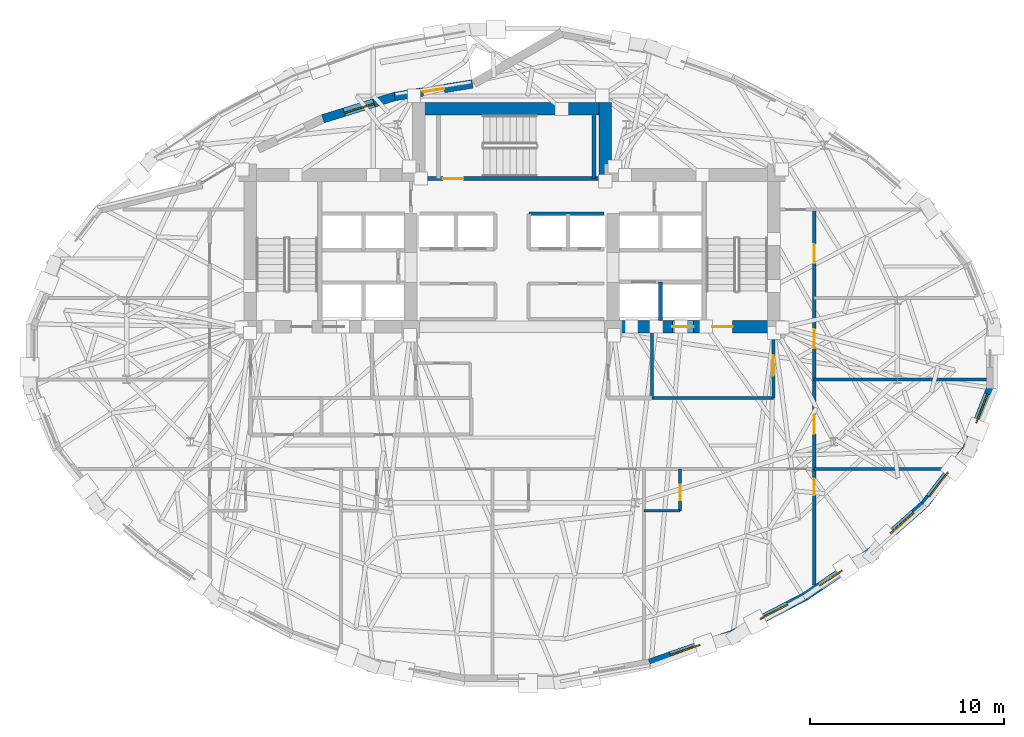
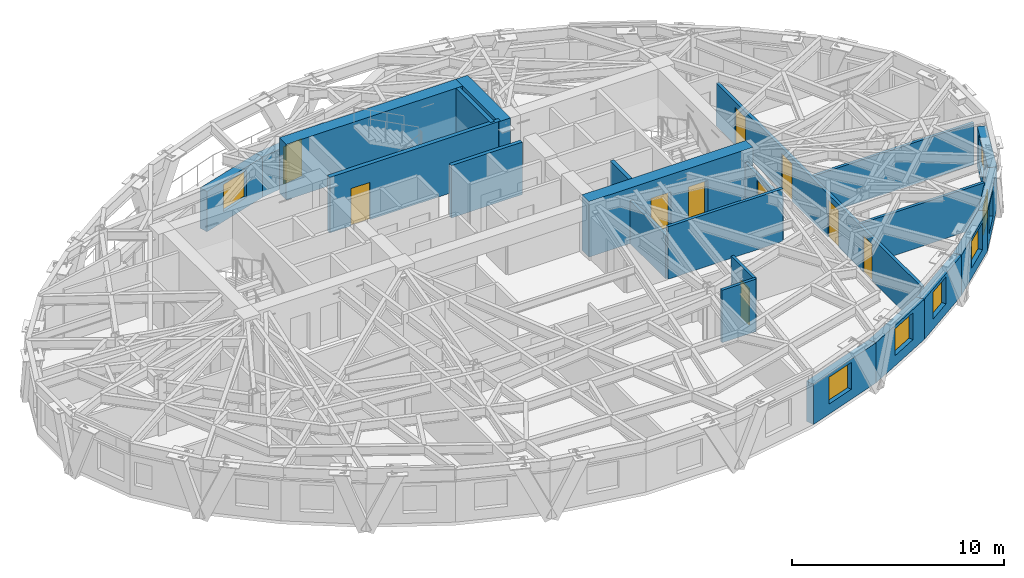
# One storey, part 9 of 14: 23 walls, 10 doors, 7 windows, 17 openings.
"""IFC4 building model written with IfcOpenShell, lengths in metres."""

import ifcopenshell
import ifcopenshell.guid

model = None  # the IFC model being written
_history = None  # IfcOwnerHistory: only IFC2X3 demands one
_inside = {}  # id of a spatial element -> (the spatial element, [elements in it])
_under = {}  # id of a project, library or spatial element -> (it, [spatial elements below it])
_declared = {}  # id of a project -> (the project, [libraries it declares])
_typed = {}  # id of a type object -> (the type object, [elements of that type])
_made_of = {}  # id of a material, layer set ... -> (it, [elements and type objects made of it])


def new_model(schema):
    """Start an empty IFC model of exactly this schema.

    Asked for "IFC4X3", IfcOpenShell would pick the latest addendum, in which some entities
    have other attributes; the version numbers below select the first issue.
    IFC2X3 requires an IfcOwnerHistory on every rooted entity: one is made here for all.
    """
    global model, _history
    if schema == "IFC4X3":
        model = ifcopenshell.file(schema_version=(4, 3, 0, 0))
    else:
        model = ifcopenshell.file(schema=schema)
    _inside.clear()
    _under.clear()
    _declared.clear()
    _typed.clear()
    _made_of.clear()
    _history = None
    if model.schema == "IFC2X3":
        org = make("IfcOrganization", Name="unknown")
        user = make(
            "IfcPersonAndOrganization",
            ThePerson=make("IfcPerson", FamilyName="unknown"),
            TheOrganization=org,
        )
        app = make(
            "IfcApplication",
            ApplicationDeveloper=org,
            Version="unknown",
            ApplicationFullName="unknown",
            ApplicationIdentifier="unknown",
        )
        _history = make(
            "IfcOwnerHistory",
            OwningUser=user,
            OwningApplication=app,
            ChangeAction="ADDED",
            CreationDate=0,
        )
    return model


def make(cls, **values):
    """One entity of the class cls with the attributes given. An attribute that is None is left unset."""
    return model.create_entity(
        cls, **{name: value for name, value in values.items() if value is not None}
    )


def rooted(cls, **values):
    """An entity with a GlobalId (a new one), such as an element, a storey or a relation."""
    return make(cls, GlobalId=ifcopenshell.guid.new(), OwnerHistory=_history, **values)


def si_unit(unit_type, name, prefix=None):
    """IfcSIUnit, for example si_unit("LENGTHUNIT", "METRE", prefix="MILLI")."""
    return make("IfcSIUnit", UnitType=unit_type, Prefix=prefix, Name=name)


def assignment(units):
    """IfcUnitAssignment: the units of a project."""
    return None if units is None else make("IfcUnitAssignment", Units=units)


def point(xyz):
    """IfcCartesianPoint."""
    return None if xyz is None else make("IfcCartesianPoint", Coordinates=xyz)


def direction(xyz):
    """IfcDirection."""
    return None if xyz is None else make("IfcDirection", DirectionRatios=xyz)


def frame(location, z_axis=None, x_axis=None):
    """IfcAxis2Placement3D, a coordinate frame: its origin and axes. An axis left out is left unset."""
    return make(
        "IfcAxis2Placement3D",
        Location=point(location),
        Axis=direction(z_axis),
        RefDirection=direction(x_axis),
    )


def frame_2d(location, x_axis=None):
    """IfcAxis2Placement2D, a coordinate frame in the plane: its origin and x axis."""
    return make(
        "IfcAxis2Placement2D", Location=point(location), RefDirection=direction(x_axis)
    )


def origin():
    """The frame at (0, 0, 0) with its axes left unset."""
    return frame((0.0, 0.0, 0.0))


def place(relative_to, where):
    """IfcLocalPlacement: puts the frame where relative to a parent placement (None: the world)."""
    return make(
        "IfcLocalPlacement", PlacementRelTo=relative_to, RelativePlacement=where
    )


def context(
    kind, dimensions, precision=None, world=None, true_north=None, identifier=None
):
    """IfcGeometricRepresentationContext, for example the 3D "Model" context."""
    return make(
        "IfcGeometricRepresentationContext",
        ContextIdentifier=identifier,
        ContextType=kind,
        CoordinateSpaceDimension=dimensions,
        Precision=precision,
        WorldCoordinateSystem=world,
        TrueNorth=true_north,
    )


def subcontext(parent, identifier, kind, view, scale=None):
    """IfcGeometricRepresentationSubContext, for example "Body" below "Model"."""
    return make(
        "IfcGeometricRepresentationSubContext",
        ContextIdentifier=identifier,
        ContextType=kind,
        ParentContext=parent,
        TargetScale=scale,
        TargetView=view,
    )


def project(units=None, contexts=None):
    """IfcProject with its units and contexts."""
    return rooted(
        "IfcProject",
        Name="project",
        RepresentationContexts=contexts,
        UnitsInContext=assignment(units),
    )


def spatial(cls, under=None, at=None, **own):
    """A site, building, storey or space (cls), placed at a placement, below another one or the project."""
    s = rooted(cls, ObjectPlacement=at, **own)
    if under is not None:
        _under.setdefault(under.id(), (under, []))[1].append(s)
    return s


def profile(cls, at=None, kind="AREA", **sizes):
    """A parametric profile (cls). Its sizes go by their IFC names, for example OverallWidth=200.0."""
    return make(cls, ProfileType=kind, Position=at, **sizes)


def rectangle(**sizes):
    """IfcRectangleProfileDef."""
    return profile("IfcRectangleProfileDef", **sizes)


def extrude(swept, where, along, depth):
    """IfcExtrudedAreaSolid: the profile swept, set in the frame where, extruded along a direction by depth."""
    return make(
        "IfcExtrudedAreaSolid",
        SweptArea=swept,
        Position=where,
        ExtrudedDirection=direction(along),
        Depth=depth,
    )


def shape(context_of_items, identifier, shape_type, items):
    """IfcShapeRepresentation: the items that make up one representation, for example the "Body"."""
    return make(
        "IfcShapeRepresentation",
        ContextOfItems=context_of_items,
        RepresentationIdentifier=identifier,
        RepresentationType=shape_type,
        Items=items,
    )


def material(Name=None, Category=None):
    """IfcMaterial."""
    return make("IfcMaterial", Name=Name, Category=Category)


def layer(
    of_material, thickness, ventilated=None, Name=None, Category=None, Priority=None
):
    """IfcMaterialLayer: one layer of a wall or slab, of a material (None: an air gap)."""
    return make(
        "IfcMaterialLayer",
        Material=of_material,
        LayerThickness=thickness,
        IsVentilated=ventilated,
        Name=Name,
        Category=Category,
        Priority=Priority,
    )


def layer_set(layers, Name=None):
    """IfcMaterialLayerSet."""
    return make("IfcMaterialLayerSet", MaterialLayers=layers, LayerSetName=Name)


def made_of(thing, what):
    """Note that an element or type object is made of a material, layer set ...; save() writes the relation."""
    if what is not None:
        _made_of.setdefault(what.id(), (what, []))[1].append(thing)
    return thing


def type_object(cls, material=None, **own):
    """A type object (cls), such as IfcWallType, which elements share."""
    return made_of(rooted(cls, **own), material)


def element(
    cls,
    number,
    at=None,
    inside=None,
    cuts=None,
    type_object=None,
    material=None,
    context=None,
    identifier="Body",
    shape_type=None,
    held_by="IfcProductDefinitionShape",
    body=None,
    shapes=None,
    **own,
):
    """One element of the class cls, such as IfcWall. Its Tag is "e" and its number.

    at: its placement. inside: the storey or other place that contains it. cuts: it is an
    opening in that element (IfcRelVoidsElement). A single representation is given by context,
    identifier, shape_type and body (its items); several are given by shapes. held_by: the class
    of the entity that holds the representations. save() writes the other relations.
    """
    e = rooted(cls, Tag="e%d" % number, ObjectPlacement=at, **own)
    if body is not None:
        shapes = [shape(context, identifier, shape_type, body)]
    if shapes is not None:
        e.Representation = make(held_by, Representations=shapes)
    if inside is not None:
        _inside.setdefault(inside.id(), (inside, []))[1].append(e)
    if cuts is not None:
        rooted(
            "IfcRelVoidsElement", RelatingBuildingElement=cuts, RelatedOpeningElement=e
        )
    if type_object is not None:
        _typed.setdefault(type_object.id(), (type_object, []))[1].append(e)
    return made_of(e, material)


def fill(opening, filler):
    """IfcRelFillsElement: the door or window that sits in an opening."""
    return rooted(
        "IfcRelFillsElement",
        RelatingOpeningElement=opening,
        RelatedBuildingElement=filler,
    )


def aggregate(whole, parts):
    """IfcRelAggregates: a whole, such as a stair, and the parts it consists of."""
    return rooted("IfcRelAggregates", RelatingObject=whole, RelatedObjects=parts)


def save(model, path):
    """Write the relations noted so far, then the file.

    IfcRelAggregates (storeys below a building ...), IfcRelContainedInSpatialStructure (elements
    in a storey), IfcRelDefinesByType, IfcRelAssociatesMaterial and IfcRelDeclares: one each for
    every whole, place, type object, material and project.
    """
    for whole, parts in _under.values():
        aggregate(whole, parts)
    for where, things in _inside.values():
        rooted(
            "IfcRelContainedInSpatialStructure",
            RelatedElements=things,
            RelatingStructure=where,
        )
    for kind, things in _typed.values():
        rooted("IfcRelDefinesByType", RelatedObjects=things, RelatingType=kind)
    for what, things in _made_of.values():
        rooted("IfcRelAssociatesMaterial", RelatedObjects=things, RelatingMaterial=what)
    for by, libraries in _declared.values():
        rooted("IfcRelDeclares", RelatingContext=by, RelatedDefinitions=libraries)
    model.write(path)


model = new_model("IFC4")

# Units and contexts
model_context = context("Model", 3, precision=1e-05, world=origin(), true_north=direction((0.0, 1.0)))
body_context = subcontext(model_context, "Body", "Model", "MODEL_VIEW")
ifc_project = project(units=[si_unit("LENGTHUNIT", "METRE"), si_unit("AREAUNIT", "SQUARE_METRE"), si_unit("VOLUMEUNIT", "CUBIC_METRE"), si_unit("PLANEANGLEUNIT", "RADIAN"), si_unit("MASSUNIT", "GRAM", prefix="KILO")], contexts=[model_context])

# Site, building, storey
site_placement = place(None, origin())
site = spatial("IfcSite", under=ifc_project, at=site_placement, CompositionType="ELEMENT")
building_placement = place(site_placement, origin())
building = spatial("IfcBuilding", under=site, at=building_placement, Name="Keldmark Tower", CompositionType="ELEMENT")
storey_placement = place(building_placement, frame((0.0, 0.0, 175.800048828125)))
storey = spatial("IfcBuildingStorey", under=building, at=storey_placement, Name="L48", CompositionType="ELEMENT", Elevation=175.800048828125)

# Walls
ifc_material_1 = material(Name="Type X Fire-Rated Gypsum Partition Assembly", Category="gypsum")
ifc_layer_1 = layer(ifc_material_1, 0.1650390625)
ifc_layer_set_1 = layer_set([ifc_layer_1], Name="Type X Fire-Rated Gypsum Partition Assembly")
wall_type_1 = type_object("IfcWallType", Name="Rated Partition 165 mm", PredefinedType="PARTITIONING", material=ifc_layer_set_1)
wall_1_placement = place(storey_placement, frame((7.199951171875, -2.14990234375, 0.0), z_axis=(0.0, 0.0, 1.0), x_axis=(1.0, 0.0, 0.0)))
element("IfcWall", 1, at=wall_1_placement, inside=storey, type_object=wall_type_1, Name="L48 Rated Partition 165 mm FSAE-E-S", PredefinedType="PARTITIONING", context=body_context, shape_type="SweptSolid", body=[
    extrude(rectangle(XDim=6.25, YDim=0.1650390625, at=frame_2d((3.125, 0.0))), origin(), (0.0, 0.0, 1.0), 3.02001953125),
])
wall_2_placement = place(storey_placement, frame((7.199951171875, -2.14990234375, 0.0), z_axis=(0.0, 0.0, 1.0), x_axis=(0.0, 1.0, 0.0)))
element("IfcWall", 2, at=wall_2_placement, inside=storey, type_object=wall_type_1, Name="L48 Rated Partition 165 mm FSAE-E-W", PredefinedType="PARTITIONING", context=body_context, shape_type="SweptSolid", body=[
    extrude(rectangle(XDim=3.39990234375, YDim=0.1650390625, at=frame_2d((1.699951171875, 0.0))), origin(), (0.0, 0.0, 1.0), 2.472900390625),
])

# Wall, opening, door
wall_3_placement = place(storey_placement, frame((13.449951171875, -2.14990234375, 0.0), z_axis=(0.0, 0.0, 1.0), x_axis=(0.0, 1.0, 0.0)))
wall_3 = element("IfcWall", 3, at=wall_3_placement, inside=storey, type_object=wall_type_1, Name="L48 Rated Partition 165 mm FSAE-E-E", PredefinedType="PARTITIONING", context=body_context, shape_type="SweptSolid", body=[
    extrude(rectangle(XDim=3.39990234375, YDim=0.1650390625, at=frame_2d((1.699951171875, 0.0))), origin(), (0.0, 0.0, 1.0), 2.472900390625),
])
opening_1_placement = place(wall_3_placement, frame((1.14990234375, 0.0, 0.0)))
opening_1 = element("IfcOpeningElement", 4, at=opening_1_placement, cuts=wall_3, Name="Opening D-FL105", PredefinedType="OPENING", context=body_context, shape_type="SweptSolid", body=[
    extrude(rectangle(XDim=1.050048828125, YDim=2.14990234375, at=frame_2d((0.52490234375, 1.074951171875))), frame((0.0, 0.092529296875, 0.0), z_axis=(0.0, -1.0, 0.0), x_axis=(1.0, 0.0, 0.0)), (0.0, 0.0, 1.0), 0.18505859375),
])
ifc_material_2 = material(Name="Fire-Rated Mineral-Core Door and Vision Lite", Category="metal")
door_type_1 = type_object("IfcDoorType", Name="Fire Lobby Door 1050x2150", OperationType="NOTDEFINED", PredefinedType="DOOR", material=ifc_material_2)
door_1_placement = place(opening_1_placement, origin())
door_1 = element("IfcDoor", 5, at=door_1_placement, inside=storey, type_object=door_type_1, Name="L48 Fire Lobby Door 1050x2150 D-FSAEE-OUT-L48", OperationType="SINGLE_SWING_LEFT", OverallHeight=2.14990234375, OverallWidth=1.050048828125, PredefinedType="DOOR", context=body_context, shape_type="SweptSolid", body=[
    extrude(rectangle(XDim=1.050048828125, YDim=2.14990234375, at=frame_2d((0.52490234375, 1.074951171875))), frame((0.0, 0.02490234375, 0.0), z_axis=(0.0, -1.0, 0.0), x_axis=(1.0, 0.0, 0.0)), (0.0, 0.0, 1.0), 0.050048828125),
])
fill(opening_1, door_1)

# Wall, openings, doors
wall_4_placement = place(storey_placement, frame((15.550048828125, -11.77099609375, 0.0), z_axis=(0.0, 0.0, 1.0), x_axis=(0.0, 1.0, 0.0)))
wall_4 = element("IfcWall", 6, at=wall_4_placement, inside=storey, type_object=wall_type_1, Name="L48 Rated Partition 165 mm HCOR-E", PredefinedType="PARTITIONING", context=body_context, shape_type="SweptSolid", body=[
    extrude(rectangle(XDim=19.321044921875, YDim=0.1650390625, at=frame_2d((9.66064453125, 0.0))), origin(), (0.0, 0.0, 1.0), 2.472900390625),
])
opening_2_placement = place(wall_4_placement, frame((4.62060546875, 0.0, 0.0)))
opening_2 = element("IfcOpeningElement", 7, at=opening_2_placement, cuts=wall_4, Name="Opening D-IN085", PredefinedType="OPENING", context=body_context, shape_type="SweptSolid", body=[
    extrude(rectangle(XDim=0.85009765625, YDim=2.10009765625, at=frame_2d((0.425048828125, 1.050048828125))), frame((0.0, 0.092529296875, 0.0), z_axis=(0.0, -1.0, 0.0), x_axis=(1.0, 0.0, 0.0)), (0.0, 0.0, 1.0), 0.18505859375),
])
opening_3_placement = place(wall_4_placement, frame((7.771484375, 0.0, 0.0)))
opening_3 = element("IfcOpeningElement", 8, at=opening_3_placement, cuts=wall_4, Name="Opening D-FD100", PredefinedType="OPENING", context=body_context, shape_type="SweptSolid", body=[
    extrude(rectangle(XDim=1.0, YDim=2.14990234375, at=frame_2d((0.5, 1.074951171875))), frame((0.0, 0.092529296875, 0.0), z_axis=(0.0, -1.0, 0.0), x_axis=(1.0, 0.0, 0.0)), (0.0, 0.0, 1.0), 0.18505859375),
])
opening_4_placement = place(wall_4_placement, frame((12.171630859375, 0.0, 0.0)))
opening_4 = element("IfcOpeningElement", 9, at=opening_4_placement, cuts=wall_4, Name="Opening D-FD100", PredefinedType="OPENING", context=body_context, shape_type="SweptSolid", body=[
    extrude(rectangle(XDim=1.0, YDim=2.14990234375, at=frame_2d((0.5, 1.074951171875))), frame((0.0, 0.092529296875, 0.0), z_axis=(0.0, -1.0, 0.0), x_axis=(1.0, 0.0, 0.0)), (0.0, 0.0, 1.0), 0.18505859375),
])
opening_5_placement = place(wall_4_placement, frame((16.546630859375, 0.0, 0.0)))
opening_5 = element("IfcOpeningElement", 10, at=opening_5_placement, cuts=wall_4, Name="Opening D-FD100", PredefinedType="OPENING", context=body_context, shape_type="SweptSolid", body=[
    extrude(rectangle(XDim=1.0, YDim=2.14990234375, at=frame_2d((0.5, 1.074951171875))), frame((0.0, 0.092529296875, 0.0), z_axis=(0.0, -1.0, 0.0), x_axis=(1.0, 0.0, 0.0)), (0.0, 0.0, 1.0), 0.18505859375),
])
ifc_material_3 = material(Name="Hollow Metal Fire-Rated Corridor Door", Category="metal")
door_type_2 = type_object("IfcDoorType", Name="Fire Door 1000x2150", OperationType="NOTDEFINED", PredefinedType="DOOR", material=ifc_material_3)
door_2_placement = place(opening_3_placement, origin())
door_2 = element("IfcDoor", 11, at=door_2_placement, inside=storey, type_object=door_type_2, Name="L48 Fire Door 1000x2150 D-HESP-1-L48", OperationType="SINGLE_SWING_RIGHT", OverallHeight=2.14990234375, OverallWidth=1.0, PredefinedType="DOOR", context=body_context, shape_type="SweptSolid", body=[
    extrude(rectangle(XDim=1.0, YDim=2.14990234375, at=frame_2d((0.5, 1.074951171875))), frame((0.0, 0.02490234375, 0.0), z_axis=(0.0, -1.0, 0.0), x_axis=(1.0, 0.0, 0.0)), (0.0, 0.0, 1.0), 0.050048828125),
])
fill(opening_3, door_2)
door_3_placement = place(opening_4_placement, origin())
door_3 = element("IfcDoor", 12, at=door_3_placement, inside=storey, type_object=door_type_2, Name="L48 Fire Door 1000x2150 D-HESP-2-L48", OperationType="SINGLE_SWING_LEFT", OverallHeight=2.14990234375, OverallWidth=1.0, PredefinedType="DOOR", context=body_context, shape_type="SweptSolid", body=[
    extrude(rectangle(XDim=1.0, YDim=2.14990234375, at=frame_2d((0.5, 1.074951171875))), frame((0.0, 0.02490234375, 0.0), z_axis=(0.0, -1.0, 0.0), x_axis=(1.0, 0.0, 0.0)), (0.0, 0.0, 1.0), 0.050048828125),
])
fill(opening_4, door_3)
door_4_placement = place(opening_5_placement, origin())
door_4 = element("IfcDoor", 13, at=door_4_placement, inside=storey, type_object=door_type_2, Name="L48 Fire Door 1000x2150 D-HESP-3-L48", OperationType="SINGLE_SWING_LEFT", OverallHeight=2.14990234375, OverallWidth=1.0, PredefinedType="DOOR", context=body_context, shape_type="SweptSolid", body=[
    extrude(rectangle(XDim=1.0, YDim=2.14990234375, at=frame_2d((0.5, 1.074951171875))), frame((0.0, 0.02490234375, 0.0), z_axis=(0.0, -1.0, 0.0), x_axis=(1.0, 0.0, 0.0)), (0.0, 0.0, 1.0), 0.050048828125),
])
fill(opening_5, door_4)
ifc_material_4 = material(Name="Painted Architectural Wood", Category="wood")
door_type_3 = type_object("IfcDoorType", Name="Interior Door 850x2100", OperationType="NOTDEFINED", PredefinedType="DOOR", material=ifc_material_4)
door_5_placement = place(opening_2_placement, origin())
door_5 = element("IfcDoor", 14, at=door_5_placement, inside=storey, type_object=door_type_3, Name="L48 Interior Door 850x2100 D-HKSE-L48", OperationType="SINGLE_SWING_RIGHT", OverallHeight=2.10009765625, OverallWidth=0.85009765625, PredefinedType="DOOR", context=body_context, shape_type="SweptSolid", body=[
    extrude(rectangle(XDim=0.85009765625, YDim=2.10009765625, at=frame_2d((0.425048828125, 1.050048828125))), frame((0.0, 0.02490234375, 0.0), z_axis=(0.0, -1.0, 0.0), x_axis=(1.0, 0.0, 0.0)), (0.0, 0.0, 1.0), 0.050048828125),
])
fill(opening_2, door_5)

# Walls
ifc_material_5 = material(Name="Fire-Resistant Type X Gypsum Shaftliner Coreboard", Category="gypsum")
ifc_layer_2 = layer(ifc_material_5, 0.199951171875)
ifc_layer_set_2 = layer_set([ifc_layer_2], Name="Fire-Resistant Type X Gypsum Shaftliner Coreboard")
wall_type_2 = type_object("IfcWallType", Name="Shaft Wall 200 mm", PredefinedType="SOLIDWALL", material=ifc_layer_set_2)
wall_5_placement = place(storey_placement, frame((7.64990234375, 1.85009765625, 0.0), z_axis=(0.0, 0.0, 1.0), x_axis=(0.0, 1.0, 0.0)))
element("IfcWall", 15, at=wall_5_placement, inside=storey, type_object=wall_type_2, Name="L48 Shaft Wall 200 mm HW-E-M", PredefinedType="SOLIDWALL", context=body_context, shape_type="SweptSolid", body=[
    extrude(rectangle(XDim=1.969970703125, YDim=0.199951171875, at=frame_2d((0.98486328125, 0.0))), origin(), (0.0, 0.0, 1.0), 3.02001953125),
])
wall_6_placement = place(storey_placement, frame((0.8798828125, 7.330078125, 0.0), z_axis=(0.0, 0.0, 1.0), x_axis=(1.0, 0.0, 0.0)))
element("IfcWall", 16, at=wall_6_placement, inside=storey, type_object=wall_type_2, Name="L48 Shaft Wall 200 mm MID-N-E", PredefinedType="SOLIDWALL", context=body_context, shape_type="SweptSolid", body=[
    extrude(rectangle(XDim=3.860107421875, YDim=0.199951171875, at=frame_2d((1.93017578125, 0.0))), origin(), (0.0, 0.0, 1.0), 3.02001953125),
])

# Wall, opening, door
ifc_material_6 = material(Name="Concrete C50/60", Category="concrete")
ifc_layer_3 = layer(ifc_material_6, 0.219970703125)
ifc_layer_set_3 = layer_set([ifc_layer_3], Name="Concrete C50/60")
wall_type_3 = type_object("IfcWallType", Name="Stair Core Shear Wall 220 mm", PredefinedType="SHEAR", material=ifc_layer_set_3)
wall_7_placement = place(storey_placement, frame((-4.699951171875, 9.139892578125, 0.0), z_axis=(0.0, 0.0, 1.0), x_axis=(1.0, 0.0, 0.0)))
wall_7 = element("IfcWall", 17, at=wall_7_placement, inside=storey, type_object=wall_type_3, Name="L48 Central Stair Core South Shear Wall", PredefinedType="SHEAR", context=body_context, shape_type="SweptSolid", body=[
    extrude(rectangle(XDim=9.300048828125, YDim=0.219970703125, at=frame_2d((4.64990234375, 0.0))), origin(), (0.0, 0.0, 1.0), 3.199951171875),
])
opening_6_placement = place(wall_7_placement, frame((1.14990234375, 0.0, 0.0)))
opening_6 = element("IfcOpeningElement", 18, at=opening_6_placement, cuts=wall_7, Name="Opening D-ST105", PredefinedType="OPENING", context=body_context, shape_type="SweptSolid", body=[
    extrude(rectangle(XDim=1.050048828125, YDim=2.14990234375, at=frame_2d((0.52490234375, 1.074951171875))), frame((0.0, 0.119873046875, 0.0), z_axis=(0.0, -1.0, 0.0), x_axis=(1.0, 0.0, 0.0)), (0.0, 0.0, 1.0), 0.239990234375),
])
ifc_material_7 = material(Name="Hollow Metal Fire-Rated Door Assembly", Category="metal")
door_type_4 = type_object("IfcDoorType", Name="Stair Fire Door 1050x2150", OperationType="NOTDEFINED", PredefinedType="DOOR", material=ifc_material_7)
door_6_placement = place(opening_6_placement, origin())
door_6 = element("IfcDoor", 19, at=door_6_placement, inside=storey, type_object=door_type_4, Name="L48 Stair Fire Door 1050x2150 D-ST3-L48", OperationType="SINGLE_SWING_RIGHT", OverallHeight=2.14990234375, OverallWidth=1.050048828125, PredefinedType="DOOR", context=body_context, shape_type="SweptSolid", body=[
    extrude(rectangle(XDim=1.050048828125, YDim=2.14990234375, at=frame_2d((0.52490234375, 1.074951171875))), frame((0.0, 0.02490234375, 0.0), z_axis=(0.0, -1.0, 0.0), x_axis=(1.0, 0.0, 0.0)), (0.0, 0.0, 1.0), 0.050048828125),
])
fill(opening_6, door_6)

# Wall
wall_8_placement = place(storey_placement, frame((4.215087890625, 9.139892578125, 0.0), z_axis=(0.0, 0.0, 1.0), x_axis=(0.0, 1.0, 0.0)))
element("IfcWall", 20, at=wall_8_placement, inside=storey, type_object=wall_type_3, Name="L48 Central Stair Core East Shear Wall", PredefinedType="SHEAR", context=body_context, shape_type="SweptSolid", body=[
    extrude(rectangle(XDim=3.260009765625, YDim=0.219970703125, at=frame_2d((1.6298828125, 0.0))), origin(), (0.0, 0.0, 1.0), 3.199951171875),
])

# Wall, opening, door
ifc_material_8 = material(Name="Ironspot Manganese Brick and Kasota Buff Limestone Spandrel Assembly", Category="masonry")
ifc_layer_4 = layer(ifc_material_8, 0.43994140625)
ifc_layer_set_4 = layer_set([ifc_layer_4], Name="Ironspot Manganese Brick and Kasota Buff Limestone Spandrel Assembly")
wall_type_4 = type_object("IfcWallType", Name="Tower Brick Pier and Spandrel Wall 440 mm", PredefinedType="STANDARD", material=ifc_layer_set_4)
wall_9_placement = place(storey_placement, frame((-6.0419921875, 13.36376953125, 0.0), z_axis=(0.0, 0.0, 1.0), x_axis=(0.987261838992, 0.159103932287, 0.0)))
wall_9 = element("IfcWall", 21, at=wall_9_placement, inside=storey, type_object=wall_type_4, Name="L48 Exterior Brick and Spandrel Wall 09", PredefinedType="STANDARD", context=body_context, shape_type="SweptSolid", body=[
    extrude(rectangle(XDim=4.061767578125, YDim=0.43994140625, at=frame_2d((2.03076171875, 0.0))), origin(), (0.0, 0.0, 1.0), 2.31884765625),
])
opening_7_placement = place(wall_9_placement, frame((1.48095703125, 0.0, 0.0)))
opening_7 = element("IfcOpeningElement", 22, at=opening_7_placement, cuts=wall_9, Name="Opening TD-01", PredefinedType="OPENING", context=body_context, shape_type="SweptSolid", body=[
    extrude(rectangle(XDim=1.10009765625, YDim=2.14990234375, at=frame_2d((0.550048828125, 1.074951171875))), frame((0.0, 0.22998046875, 0.0), z_axis=(0.0, -1.0, 0.0), x_axis=(1.0, 0.0, 0.0)), (0.0, 0.0, 1.0), 0.4599609375),
])
ifc_material_9 = material(Name="Thermally Broken Painted Aluminum and Laminated Safety Glass", Category="aluminium")
door_type_5 = type_object("IfcDoorType", Name="Sky Garden Terrace Glazed Door 1100x2150", OperationType="SINGLE_SWING_LEFT", PredefinedType="DOOR", material=ifc_material_9)
door_7_placement = place(opening_7_placement, origin())
door_7 = element("IfcDoor", 23, at=door_7_placement, inside=storey, type_object=door_type_5, Name="L48 Sky-Garden Terrace Door 09", OperationType="SINGLE_SWING_LEFT", OverallHeight=2.14990234375, OverallWidth=1.10009765625, PredefinedType="DOOR", context=body_context, shape_type="SweptSolid", body=[
    extrude(rectangle(XDim=1.10009765625, YDim=2.14990234375, at=frame_2d((0.550048828125, 1.074951171875))), frame((0.0, 0.02490234375, 0.0), z_axis=(0.0, -1.0, 0.0), x_axis=(1.0, 0.0, 0.0)), (0.0, 0.0, 1.0), 0.050048828125),
])
fill(opening_7, door_7)

# Wall, opening, window
wall_10_placement = place(storey_placement, frame((-9.732666015625, 12.21630859375, 0.0), z_axis=(0.0, 0.0, 1.0), x_axis=(0.955075759072, 0.296361762772, 0.0)))
wall_10 = element("IfcWall", 24, at=wall_10_placement, inside=storey, type_object=wall_type_4, Name="L48 Exterior Brick and Spandrel Wall 10", PredefinedType="STANDARD", context=body_context, shape_type="SweptSolid", body=[
    extrude(rectangle(XDim=3.895751953125, YDim=0.43994140625, at=frame_2d((1.94775390625, 0.0))), origin(), (0.0, 0.0, 1.0), 2.31884765625),
])
opening_8_placement = place(wall_10_placement, frame((1.14794921875, 0.0, 0.580078125)))
opening_8 = element("IfcOpeningElement", 25, at=opening_8_placement, cuts=wall_10, Name="Opening W-04", PredefinedType="OPENING", context=body_context, shape_type="SweptSolid", body=[
    extrude(rectangle(XDim=1.60009765625, YDim=1.550048828125, at=frame_2d((0.800048828125, 0.77490234375))), frame((0.0, 0.22998046875, 0.0), z_axis=(0.0, -1.0, 0.0), x_axis=(1.0, 0.0, 0.0)), (0.0, 0.0, 1.0), 0.4599609375),
])
ifc_material_10 = material(Name="Thermally Broken Anodized Aluminum and Triple Low-E Argon Glazing", Category="aluminium")
window_type_1 = type_object("IfcWindowType", Name="Hotel Deep-Set Operable Window 1600x1550", PartitioningType="DOUBLE_PANEL_HORIZONTAL", PredefinedType="WINDOW", material=ifc_material_10)
window_1_placement = place(opening_8_placement, origin())
window_1 = element("IfcWindow", 26, at=window_1_placement, inside=storey, type_object=window_type_1, Name="L48 Deep-Set Window 10", OverallHeight=1.550048828125, OverallWidth=1.60009765625, PartitioningType="SINGLE_PANEL", PredefinedType="WINDOW", context=body_context, shape_type="SweptSolid", body=[
    extrude(rectangle(XDim=1.60009765625, YDim=1.550048828125, at=frame_2d((0.800048828125, 0.77490234375))), frame((0.0, -0.010009765625, 0.0), z_axis=(0.0, -1.0, 0.0), x_axis=(1.0, 0.0, 0.0)), (0.0, 0.0, 1.0), 0.06005859375),
])
fill(opening_8, window_1)

wall_11_placement = place(storey_placement, frame((11.3662109375, -14.299560546875, 0.0), z_axis=(0.0, 0.0, 1.0), x_axis=(-0.944223944927, -0.329304026434, 0.0)))
wall_11 = element("IfcWall", 27, at=wall_11_placement, inside=storey, type_object=wall_type_4, Name="L48 Exterior Brick and Spandrel Wall 26", PredefinedType="STANDARD", context=body_context, shape_type="SweptSolid", body=[
    extrude(rectangle(XDim=4.531982421875, YDim=0.43994140625, at=frame_2d((2.26611328125, 0.0))), origin(), (0.0, 0.0, 1.0), 2.31494140625),
])
opening_9_placement = place(wall_11_placement, frame((1.788818359375, 0.0, 0.580078125)))
opening_9 = element("IfcOpeningElement", 28, at=opening_9_placement, cuts=wall_11, Name="Opening W-04", PredefinedType="OPENING", context=body_context, shape_type="SweptSolid", body=[
    extrude(rectangle(XDim=1.60009765625, YDim=1.550048828125, at=frame_2d((0.800048828125, 0.77490234375))), frame((0.0, 0.22998046875, 0.0), z_axis=(0.0, -1.0, 0.0), x_axis=(1.0, 0.0, 0.0)), (0.0, 0.0, 1.0), 0.4599609375),
])
window_2_placement = place(opening_9_placement, origin())
window_2 = element("IfcWindow", 29, at=window_2_placement, inside=storey, type_object=window_type_1, Name="L48 Deep-Set Window 26", OverallHeight=1.550048828125, OverallWidth=1.60009765625, PartitioningType="SINGLE_PANEL", PredefinedType="WINDOW", context=body_context, shape_type="SweptSolid", body=[
    extrude(rectangle(XDim=1.60009765625, YDim=1.550048828125, at=frame_2d((0.800048828125, 0.77490234375))), frame((0.0, -0.010009765625, 0.0), z_axis=(0.0, -1.0, 0.0), x_axis=(1.0, 0.0, 0.0)), (0.0, 0.0, 1.0), 0.06005859375),
])
fill(opening_9, window_2)

wall_12_placement = place(storey_placement, frame((15.094482421875, -12.357177734375, 0.0), z_axis=(0.0, 0.0, 1.0), x_axis=(-0.887117685078, -0.461543294634, 0.0)))
wall_12 = element("IfcWall", 30, at=wall_12_placement, inside=storey, type_object=wall_type_4, Name="L48 Exterior Brick and Spandrel Wall 27", PredefinedType="STANDARD", context=body_context, shape_type="SweptSolid", body=[
    extrude(rectangle(XDim=4.2353515625, YDim=0.43994140625, at=frame_2d((2.11767578125, 0.0))), origin(), (0.0, 0.0, 1.0), 2.31494140625),
])
opening_10_placement = place(wall_12_placement, frame((0.994873046875, 0.0, 0.580078125)))
opening_10 = element("IfcOpeningElement", 31, at=opening_10_placement, cuts=wall_12, Name="Opening W-04", PredefinedType="OPENING", context=body_context, shape_type="SweptSolid", body=[
    extrude(rectangle(XDim=1.60009765625, YDim=1.550048828125, at=frame_2d((0.800048828125, 0.77490234375))), frame((0.0, 0.22998046875, 0.0), z_axis=(0.0, -1.0, 0.0), x_axis=(1.0, 0.0, 0.0)), (0.0, 0.0, 1.0), 0.4599609375),
])
window_3_placement = place(opening_10_placement, origin())
window_3 = element("IfcWindow", 32, at=window_3_placement, inside=storey, type_object=window_type_1, Name="L48 Deep-Set Window 27", OverallHeight=1.550048828125, OverallWidth=1.60009765625, PartitioningType="SINGLE_PANEL", PredefinedType="WINDOW", context=body_context, shape_type="SweptSolid", body=[
    extrude(rectangle(XDim=1.60009765625, YDim=1.550048828125, at=frame_2d((0.800048828125, 0.77490234375))), frame((0.0, -0.010009765625, 0.0), z_axis=(0.0, -1.0, 0.0), x_axis=(1.0, 0.0, 0.0)), (0.0, 0.0, 1.0), 0.06005859375),
])
fill(opening_10, window_3)

wall_13_placement = place(storey_placement, frame((18.392822265625, -10.119384765625, 0.0), z_axis=(0.0, 0.0, 1.0), x_axis=(-0.827746348969, -0.561102469937, 0.0)))
wall_13 = element("IfcWall", 33, at=wall_13_placement, inside=storey, type_object=wall_type_4, Name="L48 Exterior Brick and Spandrel Wall 28", PredefinedType="STANDARD", context=body_context, shape_type="SweptSolid", body=[
    extrude(rectangle(XDim=4.01123046875, YDim=0.43994140625, at=frame_2d((2.005615234375, 0.0))), origin(), (0.0, 0.0, 1.0), 2.31494140625),
])
opening_11_placement = place(wall_13_placement, frame((1.67431640625, 0.0, 0.580078125)))
opening_11 = element("IfcOpeningElement", 34, at=opening_11_placement, cuts=wall_13, Name="Opening W-08", PredefinedType="OPENING", context=body_context, shape_type="SweptSolid", body=[
    extrude(rectangle(XDim=1.39990234375, YDim=1.550048828125, at=frame_2d((0.699951171875, 0.77490234375))), frame((0.0, 0.22998046875, 0.0), z_axis=(0.0, -1.0, 0.0), x_axis=(1.0, 0.0, 0.0)), (0.0, 0.0, 1.0), 0.4599609375),
])
ifc_material_11 = material(Name="Thermally Broken Anodized Aluminum and Triple Low-E Argon Glazing", Category="aluminium")
window_type_2 = type_object("IfcWindowType", Name="Residential Corner Punched Window 1400x1550", PartitioningType="SINGLE_PANEL", PredefinedType="WINDOW", material=ifc_material_11)
window_4_placement = place(opening_11_placement, origin())
window_4 = element("IfcWindow", 35, at=window_4_placement, inside=storey, type_object=window_type_2, Name="L48 Deep-Set Window 28", OverallHeight=1.550048828125, OverallWidth=1.39990234375, PartitioningType="SINGLE_PANEL", PredefinedType="WINDOW", context=body_context, shape_type="SweptSolid", body=[
    extrude(rectangle(XDim=1.39990234375, YDim=1.550048828125, at=frame_2d((0.699951171875, 0.77490234375))), frame((0.0, -0.010009765625, 0.0), z_axis=(0.0, -1.0, 0.0), x_axis=(1.0, 0.0, 0.0)), (0.0, 0.0, 1.0), 0.06005859375),
])
fill(opening_11, window_4)

wall_14_placement = place(storey_placement, frame((21.254638671875, -7.58935546875, 0.0), z_axis=(0.0, 0.0, 1.0), x_axis=(-0.749530401757, -0.661969921403, 0.0)))
wall_14 = element("IfcWall", 36, at=wall_14_placement, inside=storey, type_object=wall_type_4, Name="L48 Exterior Brick and Spandrel Wall 29", PredefinedType="STANDARD", context=body_context, shape_type="SweptSolid", body=[
    extrude(rectangle(XDim=3.847900390625, YDim=0.43994140625, at=frame_2d((1.923828125, 0.0))), origin(), (0.0, 0.0, 1.0), 2.31494140625),
])
opening_12_placement = place(wall_14_placement, frame((0.749267578125, 0.0, 0.580078125)))
opening_12 = element("IfcOpeningElement", 37, at=opening_12_placement, cuts=wall_14, Name="Opening W-04", PredefinedType="OPENING", context=body_context, shape_type="SweptSolid", body=[
    extrude(rectangle(XDim=1.60009765625, YDim=1.550048828125, at=frame_2d((0.800048828125, 0.77490234375))), frame((0.0, 0.22998046875, 0.0), z_axis=(0.0, -1.0, 0.0), x_axis=(1.0, 0.0, 0.0)), (0.0, 0.0, 1.0), 0.4599609375),
])
window_5_placement = place(opening_12_placement, origin())
window_5 = element("IfcWindow", 38, at=window_5_placement, inside=storey, type_object=window_type_1, Name="L48 Deep-Set Window 29", OverallHeight=1.550048828125, OverallWidth=1.60009765625, PartitioningType="SINGLE_PANEL", PredefinedType="WINDOW", context=body_context, shape_type="SweptSolid", body=[
    extrude(rectangle(XDim=1.60009765625, YDim=1.550048828125, at=frame_2d((0.800048828125, 0.77490234375))), frame((0.0, -0.010009765625, 0.0), z_axis=(0.0, -1.0, 0.0), x_axis=(1.0, 0.0, 0.0)), (0.0, 0.0, 1.0), 0.06005859375),
])
fill(opening_12, window_5)

wall_15_placement = place(storey_placement, frame((23.426513671875, -4.720458984375, 0.0), z_axis=(0.0, 0.0, 1.0), x_axis=(-0.604517065871, -0.796592189939, 0.0)))
wall_15 = element("IfcWall", 39, at=wall_15_placement, inside=storey, type_object=wall_type_4, Name="L48 Exterior Brick and Spandrel Wall 30", PredefinedType="STANDARD", context=body_context, shape_type="SweptSolid", body=[
    extrude(rectangle(XDim=3.6416015625, YDim=0.43994140625, at=frame_2d((1.82080078125, 0.0))), origin(), (0.0, 0.0, 1.0), 2.31494140625),
])
opening_13_placement = place(wall_15_placement, frame((1.593017578125, 0.0, 0.580078125)))
opening_13 = element("IfcOpeningElement", 40, at=opening_13_placement, cuts=wall_15, Name="Opening W-04", PredefinedType="OPENING", context=body_context, shape_type="SweptSolid", body=[
    extrude(rectangle(XDim=1.60009765625, YDim=1.550048828125, at=frame_2d((0.800048828125, 0.77490234375))), frame((0.0, 0.22998046875, 0.0), z_axis=(0.0, -1.0, 0.0), x_axis=(1.0, 0.0, 0.0)), (0.0, 0.0, 1.0), 0.4599609375),
])
window_6_placement = place(opening_13_placement, origin())
window_6 = element("IfcWindow", 41, at=window_6_placement, inside=storey, type_object=window_type_1, Name="L48 Deep-Set Window 30", OverallHeight=1.550048828125, OverallWidth=1.60009765625, PartitioningType="SINGLE_PANEL", PredefinedType="WINDOW", context=body_context, shape_type="SweptSolid", body=[
    extrude(rectangle(XDim=1.60009765625, YDim=1.550048828125, at=frame_2d((0.800048828125, 0.77490234375))), frame((0.0, -0.010009765625, 0.0), z_axis=(0.0, -1.0, 0.0), x_axis=(1.0, 0.0, 0.0)), (0.0, 0.0, 1.0), 0.06005859375),
])
fill(opening_13, window_6)

wall_16_placement = place(storey_placement, frame((24.65087890625, -1.5791015625, 0.0), z_axis=(0.0, 0.0, 1.0), x_axis=(-0.365421225195, -0.930842268151, 0.0)))
wall_16 = element("IfcWall", 42, at=wall_16_placement, inside=storey, type_object=wall_type_4, Name="L48 Exterior Brick and Spandrel Wall 31", PredefinedType="STANDARD", context=body_context, shape_type="SweptSolid", body=[
    extrude(rectangle(XDim=3.431396484375, YDim=0.43994140625, at=frame_2d((1.7158203125, 0.0))), origin(), (0.0, 0.0, 1.0), 2.31494140625),
])
opening_14_placement = place(wall_16_placement, frame((0.3974609375, 0.0, 0.580078125)))
opening_14 = element("IfcOpeningElement", 43, at=opening_14_placement, cuts=wall_16, Name="Opening W-04", PredefinedType="OPENING", context=body_context, shape_type="SweptSolid", body=[
    extrude(rectangle(XDim=1.60009765625, YDim=1.550048828125, at=frame_2d((0.800048828125, 0.77490234375))), frame((0.0, 0.22998046875, 0.0), z_axis=(0.0, -1.0, 0.0), x_axis=(1.0, 0.0, 0.0)), (0.0, 0.0, 1.0), 0.4599609375),
])
window_7_placement = place(opening_14_placement, origin())
window_7 = element("IfcWindow", 44, at=window_7_placement, inside=storey, type_object=window_type_1, Name="L48 Deep-Set Window 31", OverallHeight=1.550048828125, OverallWidth=1.60009765625, PartitioningType="SINGLE_PANEL", PredefinedType="WINDOW", context=body_context, shape_type="SweptSolid", body=[
    extrude(rectangle(XDim=1.60009765625, YDim=1.550048828125, at=frame_2d((0.800048828125, 0.77490234375))), frame((0.0, -0.010009765625, 0.0), z_axis=(0.0, -1.0, 0.0), x_axis=(1.0, 0.0, 0.0)), (0.0, 0.0, 1.0), 0.06005859375),
])
fill(opening_14, window_7)

# Wall, openings, doors
ifc_material_12 = material(Name="Concrete C50/60", Category="concrete")
ifc_layer_5 = layer(ifc_material_12, 0.64990234375)
ifc_layer_set_5 = layer_set([ifc_layer_5], Name="Concrete C50/60")
wall_type_5 = type_object("IfcWallType", Name="Upper-Mid Core Shear Wall 650 mm", PredefinedType="SHEAR", material=ifc_layer_set_5)
wall_17_placement = place(storey_placement, frame((13.800048828125, 1.52490234375, 0.0), z_axis=(0.0, 0.0, 1.0), x_axis=(-1.0, 0.0, 0.0)))
wall_17 = element("IfcWall", 45, at=wall_17_placement, inside=storey, type_object=wall_type_5, Name="L48 East Core South Shear Wall", PredefinedType="SHEAR", context=body_context, shape_type="SweptSolid", body=[
    extrude(rectangle(XDim=8.925048828125, YDim=0.64990234375, at=frame_2d((4.46240234375, 0.0))), origin(), (0.0, 0.0, 1.0), 3.199951171875),
])
opening_15_placement = place(wall_17_placement, frame((2.449951171875, 0.0, 0.0)))
opening_15 = element("IfcOpeningElement", 46, at=opening_15_placement, cuts=wall_17, Name="Opening D-ST105", PredefinedType="OPENING", context=body_context, shape_type="SweptSolid", body=[
    extrude(rectangle(XDim=1.050048828125, YDim=2.14990234375, at=frame_2d((0.52490234375, 1.074951171875))), frame((0.0, 0.3349609375, 0.0), z_axis=(0.0, -1.0, 0.0), x_axis=(1.0, 0.0, 0.0)), (0.0, 0.0, 1.0), 0.669921875),
])
opening_16_placement = place(wall_17_placement, frame((4.449951171875, 0.0, 0.0)))
opening_16 = element("IfcOpeningElement", 47, at=opening_16_placement, cuts=wall_17, Name="Opening LD-110", PredefinedType="OPENING", context=body_context, shape_type="SweptSolid", body=[
    extrude(rectangle(XDim=1.10009765625, YDim=2.199951171875, at=frame_2d((0.550048828125, 1.10009765625))), frame((0.0, 0.3349609375, 0.0), z_axis=(0.0, -1.0, 0.0), x_axis=(1.0, 0.0, 0.0)), (0.0, 0.0, 1.0), 0.669921875),
])
ifc_material_13 = material(Name="Brushed Bronze Hoistway Sliding Leaf", Category="metal")
door_type_6 = type_object("IfcDoorType", Name="Lift Landing Sliding Door 1100x2200", OperationType="SLIDING_TO_LEFT", PredefinedType="DOOR", material=ifc_material_13)
door_8_placement = place(opening_16_placement, origin())
door_8 = element("IfcDoor", 48, at=door_8_placement, inside=storey, type_object=door_type_6, Name="L48 Lift Landing Sliding Door 1100x2200 LD-EL-FS2-L48", OperationType="SLIDING_TO_LEFT", OverallHeight=2.199951171875, OverallWidth=1.10009765625, PredefinedType="DOOR", context=body_context, shape_type="SweptSolid", body=[
    extrude(rectangle(XDim=1.10009765625, YDim=2.199951171875, at=frame_2d((0.550048828125, 1.10009765625))), frame((0.0, 0.02490234375, 0.0), z_axis=(0.0, -1.0, 0.0), x_axis=(1.0, 0.0, 0.0)), (0.0, 0.0, 1.0), 0.050048828125),
])
fill(opening_16, door_8)
door_9_placement = place(opening_15_placement, origin())
door_9 = element("IfcDoor", 49, at=door_9_placement, inside=storey, type_object=door_type_4, Name="L48 Stair Fire Door 1050x2150 D-ST2-L48", OperationType="SINGLE_SWING_LEFT", OverallHeight=2.14990234375, OverallWidth=1.050048828125, PredefinedType="DOOR", context=body_context, shape_type="SweptSolid", body=[
    extrude(rectangle(XDim=1.050048828125, YDim=2.14990234375, at=frame_2d((0.52490234375, 1.074951171875))), frame((0.0, 0.02490234375, 0.0), z_axis=(0.0, -1.0, 0.0), x_axis=(1.0, 0.0, 0.0)), (0.0, 0.0, 1.0), 0.050048828125),
])
fill(opening_15, door_9)

# Walls
wall_18_placement = place(storey_placement, frame((-5.125, 12.72509765625, 0.0), z_axis=(0.0, 0.0, 1.0), x_axis=(1.0, 0.0, 0.0)))
element("IfcWall", 50, at=wall_18_placement, inside=storey, type_object=wall_type_5, Name="L48 North Core Shear Wall", PredefinedType="SHEAR", context=body_context, shape_type="SweptSolid", body=[
    extrude(rectangle(XDim=10.25, YDim=0.64990234375, at=frame_2d((5.125, 0.0))), origin(), (0.0, 0.0, 1.0), 3.199951171875),
])
wall_19_placement = place(storey_placement, frame((4.800048828125, 9.0, 0.0), z_axis=(0.0, 0.0, 1.0), x_axis=(0.0, 1.0, 0.0)))
element("IfcWall", 51, at=wall_19_placement, inside=storey, type_object=wall_type_5, Name="L48 North Core East Shear Wall", PredefinedType="SHEAR", context=body_context, shape_type="SweptSolid", body=[
    extrude(rectangle(XDim=4.050048828125, YDim=0.64990234375, at=frame_2d((2.02490234375, 0.0))), origin(), (0.0, 0.0, 1.0), 3.199951171875),
])
ifc_material_14 = material(Name="Moisture-Resistant Gypsum Plumbing Partition", Category="gypsum")
ifc_layer_6 = layer(ifc_material_14, 0.14990234375)
ifc_layer_set_6 = layer_set([ifc_layer_6], Name="Moisture-Resistant Gypsum Plumbing Partition")
wall_type_6 = type_object("IfcWallType", Name="Wet Wall 150 mm", PredefinedType="PLUMBINGWALL", material=ifc_layer_set_6)
wall_20_placement = place(storey_placement, frame((15.550048828125, -5.800048828125, 0.0), z_axis=(0.0, 0.0, 1.0), x_axis=(1.0, 0.0, 0.0)))
element("IfcWall", 52, at=wall_20_placement, inside=storey, type_object=wall_type_6, Name="L48 Wet Wall 150 mm HE-CAP-S", PredefinedType="PLUMBINGWALL", context=body_context, shape_type="SweptSolid", body=[
    extrude(rectangle(XDim=6.77099609375, YDim=0.14990234375, at=frame_2d((3.385498046875, 0.0))), origin(), (0.0, 0.0, 1.0), 2.472900390625),
])

# Wall, opening, door
wall_21_placement = place(storey_placement, frame((8.64990234375, -7.949951171875, 0.0), z_axis=(0.0, 0.0, 1.0), x_axis=(0.0, 1.0, 0.0)))
wall_21 = element("IfcWall", 53, at=wall_21_placement, inside=storey, type_object=wall_type_6, Name="L48 Wet Wall 150 mm HB-S4-E", PredefinedType="PLUMBINGWALL", context=body_context, shape_type="SweptSolid", body=[
    extrude(rectangle(XDim=2.14990234375, YDim=0.14990234375, at=frame_2d((1.074951171875, 0.0))), origin(), (0.0, 0.0, 1.0), 3.02001953125),
])
opening_17_placement = place(wall_21_placement, frame((0.550048828125, 0.0, 0.0)))
opening_17 = element("IfcOpeningElement", 54, at=opening_17_placement, cuts=wall_21, Name="Opening D-BT080", PredefinedType="OPENING", context=body_context, shape_type="SweptSolid", body=[
    extrude(rectangle(XDim=0.800048828125, YDim=2.10009765625, at=frame_2d((0.39990234375, 1.050048828125))), frame((0.0, 0.0849609375, 0.0), z_axis=(0.0, -1.0, 0.0), x_axis=(1.0, 0.0, 0.0)), (0.0, 0.0, 1.0), 0.169921875),
])
ifc_material_15 = material(Name="Moisture-Sealed Stained Wood", Category="wood")
door_type_7 = type_object("IfcDoorType", Name="Bathroom Door 800x2100", OperationType="NOTDEFINED", PredefinedType="DOOR", material=ifc_material_15)
door_10_placement = place(opening_17_placement, origin())
door_10 = element("IfcDoor", 55, at=door_10_placement, inside=storey, type_object=door_type_7, Name="L48 Bathroom Door 800x2100 D-HBS4-L48", OperationType="SINGLE_SWING_RIGHT", OverallHeight=2.10009765625, OverallWidth=0.800048828125, PredefinedType="DOOR", context=body_context, shape_type="SweptSolid", body=[
    extrude(rectangle(XDim=0.800048828125, YDim=2.10009765625, at=frame_2d((0.39990234375, 1.050048828125))), frame((0.0, 0.02490234375, 0.0), z_axis=(0.0, -1.0, 0.0), x_axis=(1.0, 0.0, 0.0)), (0.0, 0.0, 1.0), 0.050048828125),
])
fill(opening_17, door_10)

# Walls
wall_22_placement = place(storey_placement, frame((6.800048828125, -7.949951171875, 0.0), z_axis=(0.0, 0.0, 1.0), x_axis=(1.0, 0.0, 0.0)))
element("IfcWall", 56, at=wall_22_placement, inside=storey, type_object=wall_type_6, Name="L48 Wet Wall 150 mm HB-S4-S", PredefinedType="PLUMBINGWALL", context=body_context, shape_type="SweptSolid", body=[
    extrude(rectangle(XDim=1.849853515625, YDim=0.14990234375, at=frame_2d((0.9248046875, 0.0))), origin(), (0.0, 0.0, 1.0), 3.02001953125),
])
wall_23_placement = place(storey_placement, frame((15.550048828125, -1.199951171875, 0.0), z_axis=(0.0, 0.0, 1.0), x_axis=(1.0, 0.0, 0.0)))
element("IfcWall", 57, at=wall_23_placement, inside=storey, type_object=wall_type_6, Name="L48 Wet Wall 150 mm HE-DIV-1", PredefinedType="PLUMBINGWALL", context=body_context, shape_type="SweptSolid", body=[
    extrude(rectangle(XDim=8.857666015625, YDim=0.14990234375, at=frame_2d((4.4287109375, 0.0))), origin(), (0.0, 0.0, 1.0), 2.39794921875),
])

save(model, "model.ifc")
